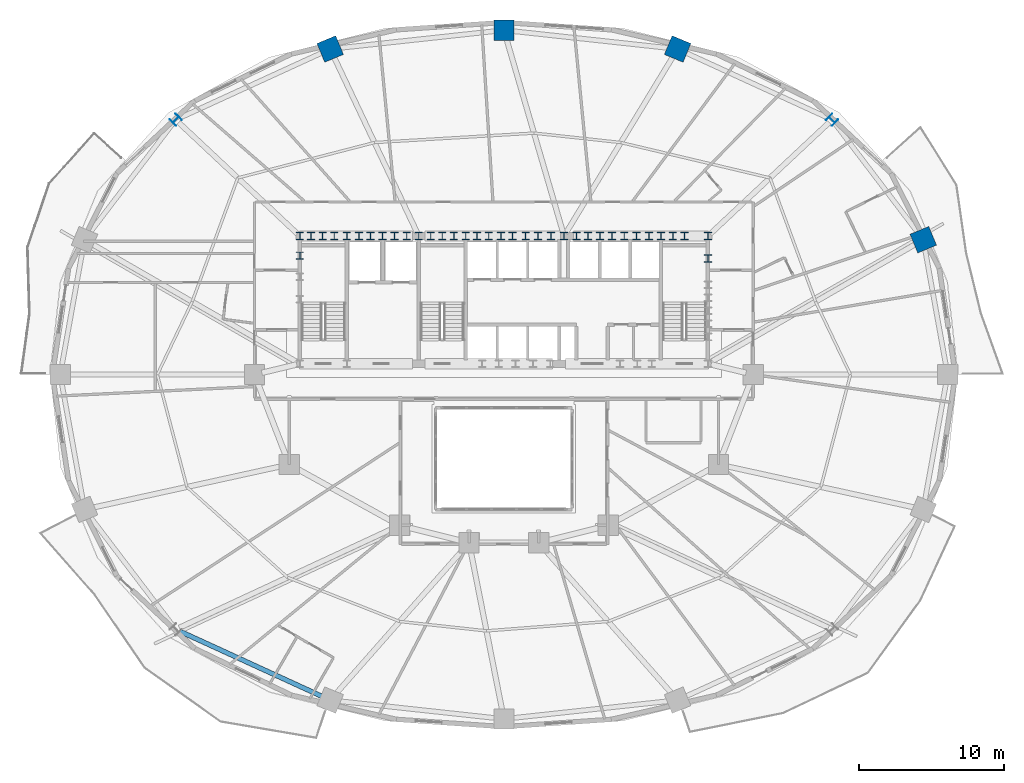
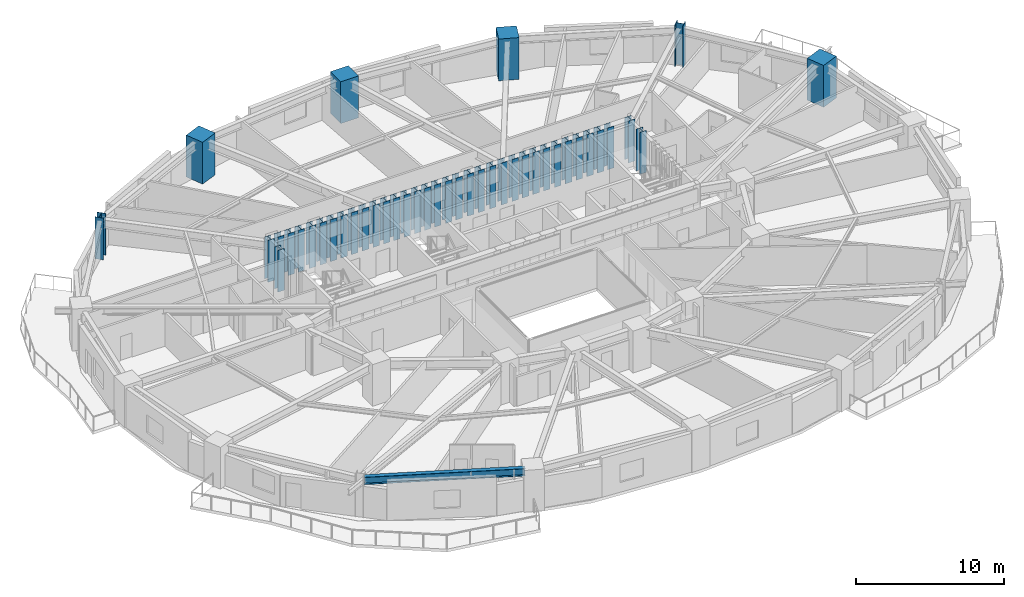
# One storey, part 2 of 17: 42 columns, 1 beam.
"""IFC4 building model written with IfcOpenShell, lengths in metres."""

from ifc_helpers import new_model, si_unit, direction, frame, origin, origin_2d, place, context, subcontext, project, spatial, rectangle, i_section, extrude, material, material_profile, profile_set, type_object, element, save


model = new_model("IFC4")

# Units and contexts
model_context = context("Model", 3, precision=1e-05, world=origin(), true_north=direction((0.0, 1.0)))
body_context = subcontext(model_context, "Body", "Model", "MODEL_VIEW")
ifc_project = project(units=[si_unit("LENGTHUNIT", "METRE"), si_unit("AREAUNIT", "SQUARE_METRE"), si_unit("VOLUMEUNIT", "CUBIC_METRE"), si_unit("PLANEANGLEUNIT", "RADIAN"), si_unit("MASSUNIT", "GRAM", prefix="KILO")], contexts=[model_context])

# Site, building, storey
site_placement = place(None, origin())
site = spatial("IfcSite", under=ifc_project, at=site_placement, CompositionType="ELEMENT")
building_placement = place(site_placement, origin())
building = spatial("IfcBuilding", under=site, at=building_placement, Name="Haldorwick Loom Tower", CompositionType="ELEMENT")
storey_placement = place(building_placement, frame((0.0, 0.0, 65.39990234375)))
storey = spatial("IfcBuildingStorey", under=building, at=storey_placement, Name="L17", CompositionType="ELEMENT", Elevation=65.39990234375)

# Columns
ifc_material_1 = material(Name="Concrete C60 (60 MPa)", Category="concrete")
ifc_material_profile_1 = material_profile(ifc_material_1, rectangle(XDim=1.39990234375, YDim=1.39990234375, at=origin_2d()), Name="RC1400X1400", Category="concrete")
ifc_profile_set_1 = profile_set([ifc_material_profile_1], Name="Concrete C60 (60 MPa)")
column_type_1 = type_object("IfcColumnType", Name="STR-COL-RC1400", PredefinedType="PILASTER", material=ifc_profile_set_1)
for number, where, z_axis, x_axis, name in (
    (1, (64.91748046875, 35.29931640625, 0.0), (0.0, 0.0, 1.0), (0.923879532511, 0.382683432365, 0.0), "L17 Perimeter Pier Column P02"),
    (2, (47.97802734375, 48.4501953125, 0.0), (0.0, 0.0, 1.0), (0.382683432365, 0.923879532511, 0.0), "L17 Perimeter Pier Column P04"),
    (3, (36.0, 49.75, 0.0), (0.0, 0.0, 1.0), (0.0, 1.0, 0.0), "L17 Perimeter Pier Column P05"),
    (4, (24.02197265625, 48.4501953125, 0.0), (0.0, 0.0, 1.0), (-0.382683432365, 0.923879532511, 0.0), "L17 Perimeter Pier Column P06"),
):
    element("IfcColumn", number, at=place(storey_placement, frame(where, z_axis=z_axis, x_axis=x_axis)), inside=storey, type_object=column_type_1, Name=name, PredefinedType="PILASTER", context=body_context, shape_type="SweptSolid", body=[
        extrude(rectangle(XDim=1.39990234375, YDim=1.39990234375, at=origin_2d()), origin(), (0.0, 0.0, 1.0), 3.4501953125),
    ])
ifc_material_2 = material(Name="Steel CSA G40.21 350WT", Category="steel")
ifc_material_profile_2 = material_profile(ifc_material_2, i_section(OverallWidth=0.5, OverallDepth=0.5, WebThickness=0.02197265625, FlangeThickness=0.031982421875, at=origin_2d()), Name="WWF500X500", Category="steel")
ifc_profile_set_2 = profile_set([ifc_material_profile_2], Name="Steel CSA G40.21 350WT")
column_type_2 = type_object("IfcColumnType", Name="STR-COL-WWF500", PredefinedType="COLUMN", material=ifc_profile_set_2)
for number, where, z_axis, x_axis, name in (
    (5, (21.929931640625, 35.550048828125, 0.0), (0.0, 0.0, 1.0), (1.0, 0.0, 0.0), "L17 Core Pilaster CB-01"),
    (6, (23.5, 35.550048828125, 0.0), (0.0, 0.0, 1.0), (1.0, 0.0, 0.0), "L17 Core Pilaster CB-02"),
    (7, (25.169921875, 35.550048828125, 0.0), (0.0, 0.0, 1.0), (1.0, 0.0, 0.0), "L17 Core Pilaster CB-03"),
    (8, (26.800048828125, 35.550048828125, 0.0), (0.0, 0.0, 1.0), (1.0, 0.0, 0.0), "L17 Core Pilaster CB-04"),
    (9, (28.449951171875, 35.550048828125, 0.0), (0.0, 0.0, 1.0), (1.0, 0.0, 0.0), "L17 Core Pilaster CB-05"),
    (10, (30.1298828125, 35.550048828125, 0.0), (0.0, 0.0, 1.0), (1.0, 0.0, 0.0), "L17 Core Pilaster CB-06"),
    (11, (31.75, 35.550048828125, 0.0), (0.0, 0.0, 1.0), (1.0, 0.0, 0.0), "L17 Core Pilaster CB-07"),
    (12, (33.3701171875, 35.550048828125, 0.0), (0.0, 0.0, 1.0), (1.0, 0.0, 0.0), "L17 Core Pilaster CB-08"),
    (13, (34.949951171875, 35.550048828125, 0.0), (0.0, 0.0, 1.0), (1.0, 0.0, 0.0), "L17 Core Pilaster CB-09"),
    (14, (36.60009765625, 35.550048828125, 0.0), (0.0, 0.0, 1.0), (1.0, 0.0, 0.0), "L17 Core Pilaster CB-10"),
    (15, (38.35009765625, 35.550048828125, 0.0), (0.0, 0.0, 1.0), (1.0, 0.0, 0.0), "L17 Core Pilaster CB-11"),
    (16, (40.14990234375, 35.550048828125, 0.0), (0.0, 0.0, 1.0), (1.0, 0.0, 0.0), "L17 Core Pilaster CB-12"),
    (17, (41.800048828125, 35.550048828125, 0.0), (0.0, 0.0, 1.0), (1.0, 0.0, 0.0), "L17 Core Pilaster CB-13"),
    (18, (43.449951171875, 35.550048828125, 0.0), (0.0, 0.0, 1.0), (1.0, 0.0, 0.0), "L17 Core Pilaster CB-14"),
    (19, (45.14990234375, 35.550048828125, 0.0), (0.0, 0.0, 1.0), (1.0, 0.0, 0.0), "L17 Core Pilaster CB-15"),
    (20, (46.830078125, 35.550048828125, 0.0), (0.0, 0.0, 1.0), (1.0, 0.0, 0.0), "L17 Core Pilaster CB-16"),
    (21, (48.449951171875, 35.550048828125, 0.0), (0.0, 0.0, 1.0), (1.0, 0.0, 0.0), "L17 Core Pilaster CB-17"),
    (22, (50.070068359375, 35.550048828125, 0.0), (0.0, 0.0, 1.0), (1.0, 0.0, 0.0), "L17 Core Pilaster CB-18"),
    (23, (21.929931640625, 34.199951171875, 0.0), (0.0, 0.0, 1.0), (1.0, 0.0, 0.0), "L17 Core Pilaster CB-28"),
    (24, (50.070068359375, 34.0, 0.0), (0.0, 0.0, 1.0), (1.0, 0.0, 0.0), "L17 Core Pilaster CB-32"),
    (25, (22.699951171875, 35.550048828125, 0.0), (0.0, 0.0, 1.0), (1.0, 0.0, 0.0), "L17 Core Pilaster CB-33"),
    (26, (27.6201171875, 35.550048828125, 0.0), (0.0, 0.0, 1.0), (1.0, 0.0, 0.0), "L17 Core Pilaster CB-34"),
    (27, (32.550048828125, 35.550048828125, 0.0), (0.0, 0.0, 1.0), (1.0, 0.0, 0.0), "L17 Core Pilaster CB-35"),
    (28, (37.5, 35.550048828125, 0.0), (0.0, 0.0, 1.0), (1.0, 0.0, 0.0), "L17 Core Pilaster CB-36"),
    (29, (42.6201171875, 35.550048828125, 0.0), (0.0, 0.0, 1.0), (1.0, 0.0, 0.0), "L17 Core Pilaster CB-37"),
    (30, (47.64990234375, 35.550048828125, 0.0), (0.0, 0.0, 1.0), (1.0, 0.0, 0.0), "L17 Core Pilaster CB-38"),
    (31, (24.300048828125, 35.550048828125, 0.0), (0.0, 0.0, 1.0), (1.0, 0.0, 0.0), "L17 Core Pilaster CB-39"),
    (32, (26.0, 35.550048828125, 0.0), (0.0, 0.0, 1.0), (1.0, 0.0, 0.0), "L17 Core Pilaster CB-40"),
    (33, (29.300048828125, 35.550048828125, 0.0), (0.0, 0.0, 1.0), (1.0, 0.0, 0.0), "L17 Core Pilaster CB-41"),
    (34, (30.949951171875, 35.550048828125, 0.0), (0.0, 0.0, 1.0), (1.0, 0.0, 0.0), "L17 Core Pilaster CB-42"),
    (35, (34.14990234375, 35.550048828125, 0.0), (0.0, 0.0, 1.0), (1.0, 0.0, 0.0), "L17 Core Pilaster CB-43"),
    (36, (35.800048828125, 35.550048828125, 0.0), (0.0, 0.0, 1.0), (1.0, 0.0, 0.0), "L17 Core Pilaster CB-44"),
    (37, (39.25, 35.550048828125, 0.0), (0.0, 0.0, 1.0), (1.0, 0.0, 0.0), "L17 Core Pilaster CB-45"),
    (38, (41.0, 35.550048828125, 0.0), (0.0, 0.0, 1.0), (1.0, 0.0, 0.0), "L17 Core Pilaster CB-46"),
    (39, (44.300048828125, 35.550048828125, 0.0), (0.0, 0.0, 1.0), (1.0, 0.0, 0.0), "L17 Core Pilaster CB-47"),
    (40, (46.0, 35.550048828125, 0.0), (0.0, 0.0, 1.0), (1.0, 0.0, 0.0), "L17 Core Pilaster CB-48"),
):
    element("IfcColumn", number, at=place(storey_placement, frame(where, z_axis=z_axis, x_axis=x_axis)), inside=storey, type_object=column_type_2, Name=name, PredefinedType="COLUMN", context=body_context, shape_type="SweptSolid", body=[
        extrude(i_section(OverallWidth=0.5, OverallDepth=0.5, WebThickness=0.02197265625, FlangeThickness=0.031982421875, at=origin_2d()), origin(), (0.0, 0.0, 1.0), 3.4501953125),
    ])
ifc_material_profile_3 = material_profile(ifc_material_2, i_section(OverallWidth=0.60009765625, OverallDepth=0.60009765625, WebThickness=0.02490234375, FlangeThickness=0.035888671875, at=origin_2d()), Name="WWF600X600", Category="steel")
ifc_profile_set_3 = profile_set([ifc_material_profile_3], Name="Steel CSA G40.21 350WT")
column_type_3 = type_object("IfcColumnType", Name="STR-COL-WWF600", PredefinedType="COLUMN", material=ifc_profile_set_3)
for number, where, z_axis, x_axis, name in (
    (41, (58.630126953125, 43.571533203125, 0.0), (0.0, 0.0, 1.0), (0.707106781187, 0.707106781187, 0.0), "L17 Perimeter Pier Column P03"),
    (42, (13.369873046875, 43.571533203125, 0.0), (0.0, 0.0, 1.0), (-0.707106781187, 0.707106781187, 0.0), "L17 Perimeter Pier Column P07"),
):
    element("IfcColumn", number, at=place(storey_placement, frame(where, z_axis=z_axis, x_axis=x_axis)), inside=storey, type_object=column_type_3, Name=name, PredefinedType="COLUMN", context=body_context, shape_type="SweptSolid", body=[
        extrude(i_section(OverallWidth=0.60009765625, OverallDepth=0.60009765625, WebThickness=0.02490234375, FlangeThickness=0.035888671875, at=origin_2d()), origin(), (0.0, 0.0, 1.0), 3.4501953125),
    ])

# Beam
ifc_material_3 = material(Name="Steel CSA G40.21 350W", Category="steel")
ifc_material_profile_4 = material_profile(ifc_material_3, i_section(OverallWidth=0.324951171875, OverallDepth=0.615966796875, WebThickness=0.013916015625, FlangeThickness=0.021484375, at=origin_2d()), Name="W610X174", Category="steel")
ifc_profile_set_4 = profile_set([ifc_material_profile_4], Name="Steel CSA G40.21 350W")
beam_type = type_object("IfcBeamType", Name="STR-BM-SP610", PredefinedType="SPANDREL", material=ifc_profile_set_4)
beam_placement = place(storey_placement, frame((13.619873046875, 8.31396484375, 2.902099609375), z_axis=(0.909173805321, -0.416416848504, 0.0), x_axis=(0.416416848504, 0.909173805321, 0.0)))
element("IfcBeam", 43, at=beam_placement, inside=storey, type_object=beam_type, Name="L17 Perimeter Spandrel 11", PredefinedType="SPANDREL", context=body_context, shape_type="SweptSolid", body=[
    extrude(i_section(OverallWidth=0.324951171875, OverallDepth=0.615966796875, WebThickness=0.013916015625, FlangeThickness=0.021484375, at=origin_2d()), origin(), (0.0, 0.0, 1.0), 10.92138671875),
])

save(model, "model.ifc")
